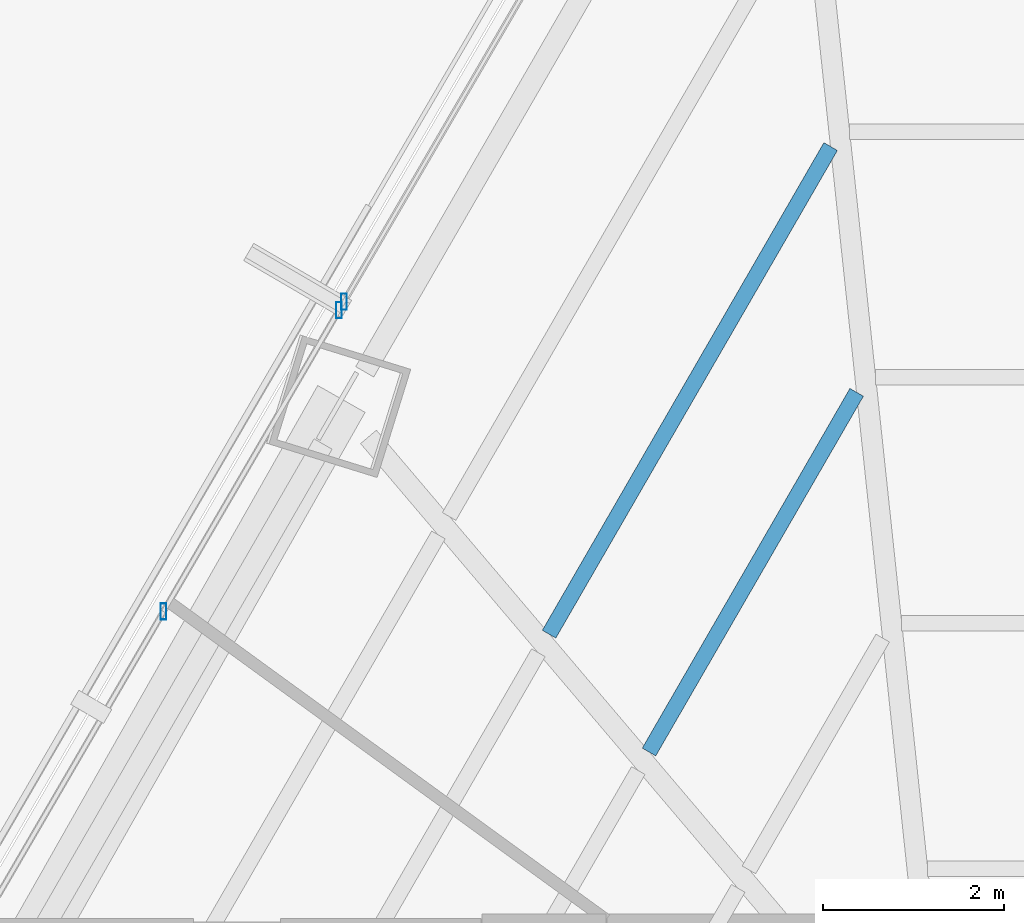
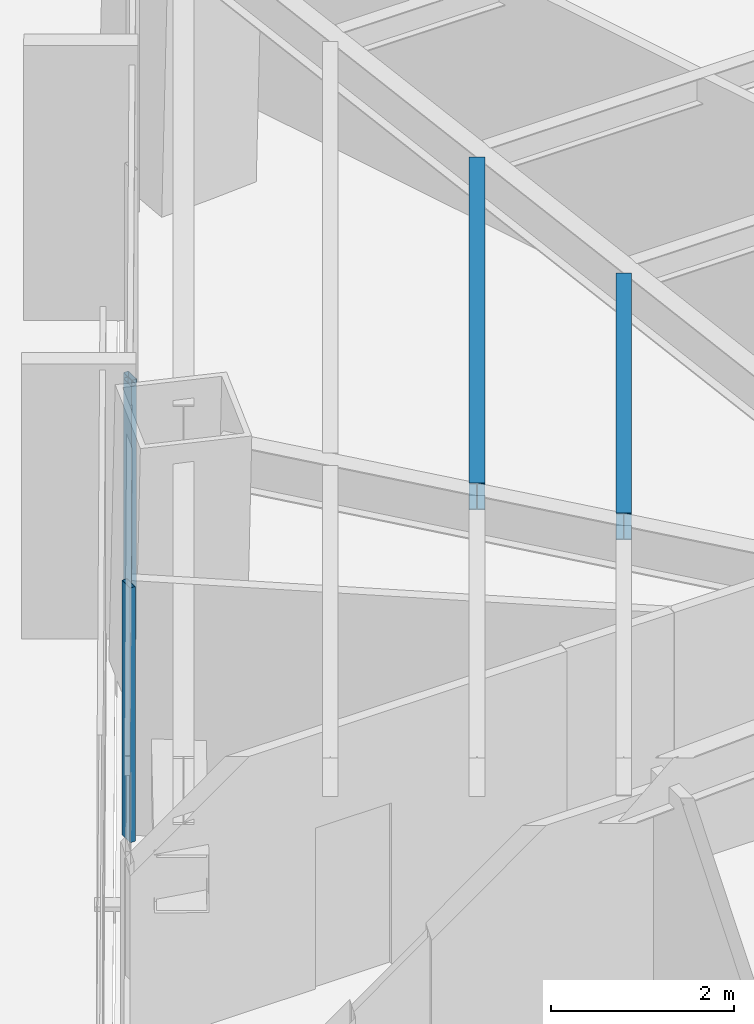
# One storey, part 19 of 35: 3 members, 2 beams, 2 elements without a shape of their own.
"""IFC4 building model written with IfcOpenShell, lengths in metres."""

import ifcopenshell
import ifcopenshell.guid

model = None  # the IFC model being written
_history = None  # IfcOwnerHistory: only IFC2X3 demands one
_inside = {}  # id of a spatial element -> (the spatial element, [elements in it])
_under = {}  # id of a project, library or spatial element -> (it, [spatial elements below it])
_declared = {}  # id of a project -> (the project, [libraries it declares])
_typed = {}  # id of a type object -> (the type object, [elements of that type])
_made_of = {}  # id of a material, layer set ... -> (it, [elements and type objects made of it])


def new_model(schema):
    """Start an empty IFC model of exactly this schema.

    Asked for "IFC4X3", IfcOpenShell would pick the latest addendum, in which some entities
    have other attributes; the version numbers below select the first issue.
    IFC2X3 requires an IfcOwnerHistory on every rooted entity: one is made here for all.
    """
    global model, _history
    if schema == "IFC4X3":
        model = ifcopenshell.file(schema_version=(4, 3, 0, 0))
    else:
        model = ifcopenshell.file(schema=schema)
    _inside.clear()
    _under.clear()
    _declared.clear()
    _typed.clear()
    _made_of.clear()
    _history = None
    if model.schema == "IFC2X3":
        org = make("IfcOrganization", Name="unknown")
        user = make(
            "IfcPersonAndOrganization",
            ThePerson=make("IfcPerson", FamilyName="unknown"),
            TheOrganization=org,
        )
        app = make(
            "IfcApplication",
            ApplicationDeveloper=org,
            Version="unknown",
            ApplicationFullName="unknown",
            ApplicationIdentifier="unknown",
        )
        _history = make(
            "IfcOwnerHistory",
            OwningUser=user,
            OwningApplication=app,
            ChangeAction="ADDED",
            CreationDate=0,
        )
    return model


def make(cls, **values):
    """One entity of the class cls with the attributes given. An attribute that is None is left unset."""
    return model.create_entity(
        cls, **{name: value for name, value in values.items() if value is not None}
    )


def rooted(cls, **values):
    """An entity with a GlobalId (a new one), such as an element, a storey or a relation."""
    return make(cls, GlobalId=ifcopenshell.guid.new(), OwnerHistory=_history, **values)


def si_unit(unit_type, name, prefix=None):
    """IfcSIUnit, for example si_unit("LENGTHUNIT", "METRE", prefix="MILLI")."""
    return make("IfcSIUnit", UnitType=unit_type, Prefix=prefix, Name=name)


def assignment(units):
    """IfcUnitAssignment: the units of a project."""
    return None if units is None else make("IfcUnitAssignment", Units=units)


def point(xyz):
    """IfcCartesianPoint."""
    return None if xyz is None else make("IfcCartesianPoint", Coordinates=xyz)


def direction(xyz):
    """IfcDirection."""
    return None if xyz is None else make("IfcDirection", DirectionRatios=xyz)


def frame(location, z_axis=None, x_axis=None):
    """IfcAxis2Placement3D, a coordinate frame: its origin and axes. An axis left out is left unset."""
    return make(
        "IfcAxis2Placement3D",
        Location=point(location),
        Axis=direction(z_axis),
        RefDirection=direction(x_axis),
    )


def frame_2d(location, x_axis=None):
    """IfcAxis2Placement2D, a coordinate frame in the plane: its origin and x axis."""
    return make(
        "IfcAxis2Placement2D", Location=point(location), RefDirection=direction(x_axis)
    )


def origin():
    """The frame at (0, 0, 0) with its axes left unset."""
    return frame((0.0, 0.0, 0.0))


def origin_2d():
    """The frame at (0, 0) in the plane with its x axis left unset."""
    return frame_2d((0.0, 0.0))


def place(relative_to, where):
    """IfcLocalPlacement: puts the frame where relative to a parent placement (None: the world)."""
    return make(
        "IfcLocalPlacement", PlacementRelTo=relative_to, RelativePlacement=where
    )


def context(
    kind, dimensions, precision=None, world=None, true_north=None, identifier=None
):
    """IfcGeometricRepresentationContext, for example the 3D "Model" context."""
    return make(
        "IfcGeometricRepresentationContext",
        ContextIdentifier=identifier,
        ContextType=kind,
        CoordinateSpaceDimension=dimensions,
        Precision=precision,
        WorldCoordinateSystem=world,
        TrueNorth=true_north,
    )


def subcontext(parent, identifier, kind, view, scale=None):
    """IfcGeometricRepresentationSubContext, for example "Body" below "Model"."""
    return make(
        "IfcGeometricRepresentationSubContext",
        ContextIdentifier=identifier,
        ContextType=kind,
        ParentContext=parent,
        TargetScale=scale,
        TargetView=view,
    )


def project(units=None, contexts=None):
    """IfcProject with its units and contexts."""
    return rooted(
        "IfcProject",
        Name="project",
        RepresentationContexts=contexts,
        UnitsInContext=assignment(units),
    )


def spatial(cls, under=None, at=None, **own):
    """A site, building, storey or space (cls), placed at a placement, below another one or the project."""
    s = rooted(cls, ObjectPlacement=at, **own)
    if under is not None:
        _under.setdefault(under.id(), (under, []))[1].append(s)
    return s


def profile(cls, at=None, kind="AREA", **sizes):
    """A parametric profile (cls). Its sizes go by their IFC names, for example OverallWidth=200.0."""
    return make(cls, ProfileType=kind, Position=at, **sizes)


def hollow_rectangle(**sizes):
    """IfcRectangleHollowProfileDef."""
    return profile("IfcRectangleHollowProfileDef", **sizes)


def i_section(**sizes):
    """IfcIShapeProfileDef."""
    return profile("IfcIShapeProfileDef", **sizes)


def extrude(swept, where, along, depth):
    """IfcExtrudedAreaSolid: the profile swept, set in the frame where, extruded along a direction by depth."""
    return make(
        "IfcExtrudedAreaSolid",
        SweptArea=swept,
        Position=where,
        ExtrudedDirection=direction(along),
        Depth=depth,
    )


def shape(context_of_items, identifier, shape_type, items):
    """IfcShapeRepresentation: the items that make up one representation, for example the "Body"."""
    return make(
        "IfcShapeRepresentation",
        ContextOfItems=context_of_items,
        RepresentationIdentifier=identifier,
        RepresentationType=shape_type,
        Items=items,
    )


def source(mapping_origin, context_of_items, identifier, shape_type, items):
    """IfcRepresentationMap: a shape defined once, which mapped items show again and again."""
    return make(
        "IfcRepresentationMap",
        MappingOrigin=mapping_origin,
        MappedRepresentation=shape(context_of_items, identifier, shape_type, items),
    )


def transform(
    local_origin,
    x_axis=None,
    y_axis=None,
    z_axis=None,
    scale=None,
    scale2=None,
    scale3=None,
    uniform=True,
):
    """IfcCartesianTransformationOperator3D, or its non-uniform kind. x_axis, y_axis, z_axis: its Axis1, 2, 3."""
    if uniform:
        return make(
            "IfcCartesianTransformationOperator3D",
            Axis1=direction(x_axis),
            Axis2=direction(y_axis),
            LocalOrigin=point(local_origin),
            Scale=scale,
            Axis3=direction(z_axis),
        )
    return make(
        "IfcCartesianTransformationOperator3DnonUniform",
        Axis1=direction(x_axis),
        Axis2=direction(y_axis),
        LocalOrigin=point(local_origin),
        Scale=scale,
        Axis3=direction(z_axis),
        Scale2=scale2,
        Scale3=scale3,
    )


def mapped(mapping_source, mapping_target):
    """IfcMappedItem: shows the shape of a source again, moved by a transform."""
    return make(
        "IfcMappedItem", MappingSource=mapping_source, MappingTarget=mapping_target
    )


def material(Name=None, Category=None):
    """IfcMaterial."""
    return make("IfcMaterial", Name=Name, Category=Category)


def material_profile(
    of_material, cross_section, Name=None, Category=None, Priority=None
):
    """IfcMaterialProfile: a cross section and its material."""
    return make(
        "IfcMaterialProfile",
        Name=Name,
        Material=of_material,
        Profile=cross_section,
        Priority=Priority,
        Category=Category,
    )


def profile_set(profiles, Name=None, composite=None):
    """IfcMaterialProfileSet."""
    return make(
        "IfcMaterialProfileSet",
        Name=Name,
        MaterialProfiles=profiles,
        CompositeProfile=composite,
    )


def made_of(thing, what):
    """Note that an element or type object is made of a material, layer set ...; save() writes the relation."""
    if what is not None:
        _made_of.setdefault(what.id(), (what, []))[1].append(thing)
    return thing


def type_object(cls, material=None, **own):
    """A type object (cls), such as IfcWallType, which elements share."""
    return made_of(rooted(cls, **own), material)


def type_shapes(of_type, sources):
    """Give a type object the sources (RepresentationMaps) that its elements show as mapped items."""
    of_type.RepresentationMaps = sources


def element(
    cls,
    number,
    at=None,
    inside=None,
    cuts=None,
    type_object=None,
    material=None,
    context=None,
    identifier="Body",
    shape_type=None,
    held_by="IfcProductDefinitionShape",
    body=None,
    shapes=None,
    **own,
):
    """One element of the class cls, such as IfcWall. Its Tag is "e" and its number.

    at: its placement. inside: the storey or other place that contains it. cuts: it is an
    opening in that element (IfcRelVoidsElement). A single representation is given by context,
    identifier, shape_type and body (its items); several are given by shapes. held_by: the class
    of the entity that holds the representations. save() writes the other relations.
    """
    e = rooted(cls, Tag="e%d" % number, ObjectPlacement=at, **own)
    if body is not None:
        shapes = [shape(context, identifier, shape_type, body)]
    if shapes is not None:
        e.Representation = make(held_by, Representations=shapes)
    if inside is not None:
        _inside.setdefault(inside.id(), (inside, []))[1].append(e)
    if cuts is not None:
        rooted(
            "IfcRelVoidsElement", RelatingBuildingElement=cuts, RelatedOpeningElement=e
        )
    if type_object is not None:
        _typed.setdefault(type_object.id(), (type_object, []))[1].append(e)
    return made_of(e, material)


def aggregate(whole, parts):
    """IfcRelAggregates: a whole, such as a stair, and the parts it consists of."""
    return rooted("IfcRelAggregates", RelatingObject=whole, RelatedObjects=parts)


def save(model, path):
    """Write the relations noted so far, then the file.

    IfcRelAggregates (storeys below a building ...), IfcRelContainedInSpatialStructure (elements
    in a storey), IfcRelDefinesByType, IfcRelAssociatesMaterial and IfcRelDeclares: one each for
    every whole, place, type object, material and project.
    """
    for whole, parts in _under.values():
        aggregate(whole, parts)
    for where, things in _inside.values():
        rooted(
            "IfcRelContainedInSpatialStructure",
            RelatedElements=things,
            RelatingStructure=where,
        )
    for kind, things in _typed.values():
        rooted("IfcRelDefinesByType", RelatedObjects=things, RelatingType=kind)
    for what, things in _made_of.values():
        rooted("IfcRelAssociatesMaterial", RelatedObjects=things, RelatingMaterial=what)
    for by, libraries in _declared.values():
        rooted("IfcRelDeclares", RelatingContext=by, RelatedDefinitions=libraries)
    model.write(path)


model = new_model("IFC4")

# Units and contexts
model_context = context("Model", 3, precision=1e-05, world=origin(), true_north=direction((0.0, 1.0)))
body_context = subcontext(model_context, "Body", "Model", "MODEL_VIEW")
ifc_project = project(units=[si_unit("LENGTHUNIT", "METRE"), si_unit("AREAUNIT", "SQUARE_METRE"), si_unit("VOLUMEUNIT", "CUBIC_METRE"), si_unit("PLANEANGLEUNIT", "RADIAN"), si_unit("MASSUNIT", "GRAM", prefix="KILO")], contexts=[model_context])

# Site, building, storey
site_placement = place(None, origin())
site = spatial("IfcSite", under=ifc_project, at=site_placement, CompositionType="ELEMENT")
building_placement = place(site_placement, origin())
building = spatial("IfcBuilding", under=site, at=building_placement, Name="Caelisora Broadcast Tower", CompositionType="ELEMENT")
storey_placement = place(building_placement, frame((0.0, 0.0, 27.60009765625)))
storey = spatial("IfcBuildingStorey", under=building, at=storey_placement, Name="L06", CompositionType="ELEMENT", Elevation=27.60009765625)

# Beams
ifc_material_1 = material(Name="Steel Grade 350 (AS/NZS 3679.1)", Category="steel")
ifc_material_profile_1 = material_profile(ifc_material_1, i_section(OverallWidth=0.172119140625, OverallDepth=0.358642578125, WebThickness=0.008056640625, FlangeThickness=0.012939453125, at=origin_2d()), Name="Steel Grade 350 (AS/NZS 3679.1)")
ifc_profile_set_1 = profile_set([ifc_material_profile_1], Name="Steel Grade 350 (AS/NZS 3679.1)")
beam_type = type_object("IfcBeamType", Name="SB02", PredefinedType="JOIST", material=ifc_profile_set_1)
shared_shape_1 = source(origin(), body_context, "Body", "SweptSolid", [
    extrude(i_section(OverallWidth=0.172119140625, OverallDepth=0.358642578125, WebThickness=0.008056640625, FlangeThickness=0.012939453125, at=origin_2d()), origin(), (0.0, 0.0, 1.0), 4.5849609375),
])
beam_1_placement = place(storey_placement, frame((29.54248046875, 37.97412109375, 3.220703125), z_axis=(-0.499999010461, -0.866025975094, 0.0), x_axis=(0.866025975094, -0.499999010461, 0.0)))
element("IfcBeam", 1, at=beam_1_placement, inside=storey, type_object=beam_type, Name="L06 beam SB02", PredefinedType="JOIST", context=body_context, shape_type="MappedRepresentation", body=[
    mapped(shared_shape_1, transform((0.0, 0.0, 0.0), scale=1.0)),
])
shared_shape_2 = source(origin(), body_context, "Body", "SweptSolid", [
    extrude(i_section(OverallWidth=0.172119140625, OverallDepth=0.358642578125, WebThickness=0.008056640625, FlangeThickness=0.012939453125, at=origin_2d()), origin(), (0.0, 0.0, 1.0), 6.216064453125),
])
type_shapes(beam_type, [shared_shape_1, shared_shape_2])
beam_2_placement = place(storey_placement, frame((29.255126953125, 40.68701171875, 3.220703125), z_axis=(-0.500012564998, -0.866018149258, 0.0), x_axis=(0.866018149258, -0.500012564998, 0.0)))
element("IfcBeam", 2, at=beam_2_placement, inside=storey, type_object=beam_type, Name="L06 beam SB02", PredefinedType="JOIST", context=body_context, shape_type="MappedRepresentation", body=[
    mapped(shared_shape_2, transform((0.0, 0.0, 0.0), scale=1.0)),
])

# Curtain wall, members
ifc_material_2 = material(Name="Unitised Aluminium Insulated Shadow-Box Spandrel Curtain Wall", Category="aluminium")
curtain_wall_type_1 = type_object("IfcCurtainWallType", Name="CW-SP1", PredefinedType="NOTDEFINED", material=ifc_material_2)
curtain_wall_1_placement = place(storey_placement, origin())
curtain_wall_1 = element("IfcCurtainWall", 3, at=curtain_wall_1_placement, inside=storey, type_object=curtain_wall_type_1, Name="L06 curtain wall CW-SP1", PredefinedType="NOTDEFINED")
ifc_material_3 = material(Name="Aluminium 6063-T6 Anodised Terracotta Bronze", Category="aluminium")
ifc_material_profile_2 = material_profile(ifc_material_3, hollow_rectangle(XDim=0.06494140625, YDim=0.179931640625, WallThickness=0.00341796875, at=origin_2d()), Name="Aluminium 6063-T6 Anodised Terracotta Bronze")
ifc_profile_set_2 = profile_set([ifc_material_profile_2], Name="Aluminium 6063-T6 Anodised Terracotta Bronze")
member_type = type_object("IfcMemberType", Name="CWM-02", PredefinedType="MULLION", material=ifc_profile_set_2)
shared_shape_3 = source(origin(), body_context, "Body", "SweptSolid", [
    extrude(hollow_rectangle(XDim=0.06494140625, YDim=0.179931640625, WallThickness=0.00341796875, at=origin_2d()), origin(), (0.0, 0.0, 1.0), 3.39990234375),
])
type_shapes(member_type, [shared_shape_3])
member_1_placement = place(storey_placement, frame((21.890869140625, 35.5537109375, 0.0), z_axis=(0.0, 0.0, 1.0), x_axis=(1.0, 0.0, 0.0)))
member_1 = element("IfcMember", 4, at=member_1_placement, type_object=member_type, Name="L06-CW-B10 mullion #2", PredefinedType="MULLION", context=body_context, shape_type="MappedRepresentation", body=[
    mapped(shared_shape_3, transform((0.0, 0.0, 0.0), scale=1.0)),
])
member_2_placement = place(storey_placement, frame((23.827392578125, 38.879150390625, 0.0), z_axis=(0.0, 0.0, 1.0), x_axis=(1.0, 0.0, 0.0)))
member_2 = element("IfcMember", 5, at=member_2_placement, type_object=member_type, Name="L06-CW-B10 mullion #3", PredefinedType="MULLION", context=body_context, shape_type="MappedRepresentation", body=[
    mapped(shared_shape_3, transform((0.0, 0.0, 0.0), scale=1.0)),
])
aggregate(curtain_wall_1, [member_1, member_2])

# Curtain wall, member
ifc_material_4 = material(Name="Unitised Aluminium and Low-E Glass Curtain Wall", Category="glass")
curtain_wall_type_2 = type_object("IfcCurtainWallType", Name="CW-Z1", PredefinedType="NOTDEFINED", material=ifc_material_4)
curtain_wall_2_placement = place(storey_placement, origin())
curtain_wall_2 = element("IfcCurtainWall", 6, at=curtain_wall_2_placement, inside=storey, type_object=curtain_wall_type_2, Name="L06 curtain wall CW-Z1", PredefinedType="NOTDEFINED")
member_3_placement = place(storey_placement, frame((23.8828125, 38.97412109375, 0.0), z_axis=(0.0, 0.0, 1.0), x_axis=(1.0, 0.0, 0.0)))
member_3 = element("IfcMember", 7, at=member_3_placement, type_object=member_type, Name="L06-CW-B11 mullion #0", PredefinedType="MULLION", context=body_context, shape_type="MappedRepresentation", body=[
    mapped(shared_shape_3, transform((0.0, 0.0, 0.0), scale=1.0)),
])
aggregate(curtain_wall_2, [member_3])

save(model, "model.ifc")
